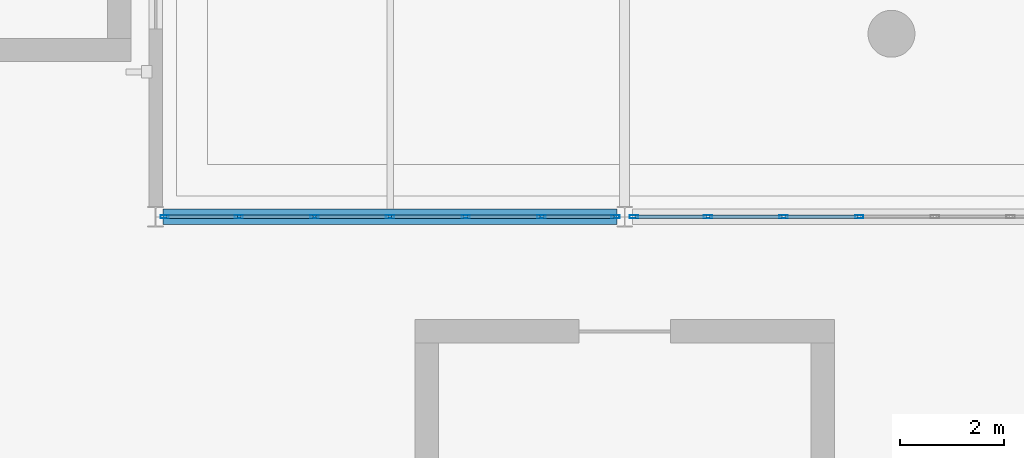
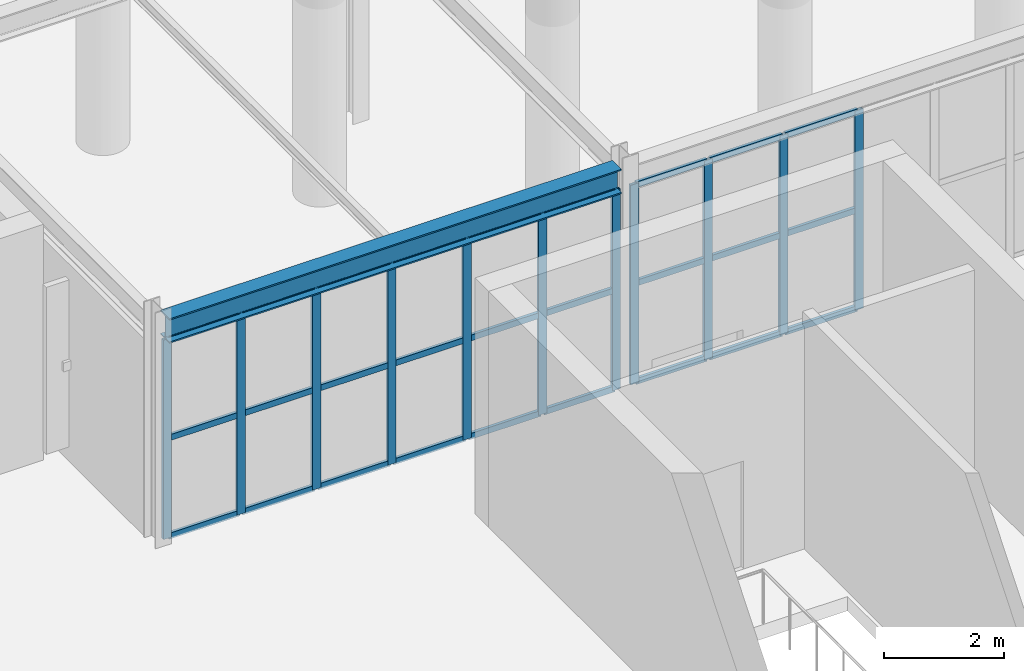
# One storey, part 2 of 29: 38 members, 1 beam, 2 elements without a shape of their own.
"""IFC4 building model written with IfcOpenShell, lengths in metres."""

from ifc_helpers import new_model, si_unit, direction, frame, origin, origin_2d, place, context, subcontext, project, spatial, hollow_rectangle, i_section, extrude, material, layer, layer_set, material_profile, profile_set, type_object, element, aggregate, save


model = new_model("IFC4")

# Units and contexts
model_context = context("Model", 3, precision=1e-05, world=origin(), true_north=direction((0.0, 1.0)))
body_context = subcontext(model_context, "Body", "Model", "MODEL_VIEW")
ifc_project = project(units=[si_unit("LENGTHUNIT", "METRE"), si_unit("AREAUNIT", "SQUARE_METRE"), si_unit("VOLUMEUNIT", "CUBIC_METRE"), si_unit("PLANEANGLEUNIT", "RADIAN"), si_unit("MASSUNIT", "GRAM", prefix="KILO")], contexts=[model_context])

# Site, building, storey
site_placement = place(None, origin())
site = spatial("IfcSite", under=ifc_project, at=site_placement, CompositionType="ELEMENT")
building_placement = place(site_placement, origin())
building = spatial("IfcBuilding", under=site, at=building_placement, Name="Dornveld Trade and Exhibition Forum", CompositionType="ELEMENT")
storey_placement = place(building_placement, frame((0.0, 0.0, 21.60009765625)))
storey = spatial("IfcBuildingStorey", under=building, at=storey_placement, Name="L04", CompositionType="ELEMENT", Elevation=21.60009765625)

# Beam
ifc_material_1 = material(Name="Steel S355J2", Category="steel")
ifc_material_profile_1 = material_profile(ifc_material_1, i_section(OverallWidth=0.300048828125, OverallDepth=0.5, WebThickness=0.014404296875, FlangeThickness=0.028076171875, FilletRadius=0.027099609375, at=origin_2d()), Name="HEB 500")
ifc_profile_set_1 = profile_set([ifc_material_profile_1], Name="Steel S355J2")
beam_type = type_object("IfcBeamType", Name="BM-GIR-HEB500", PredefinedType="USERDEFINED", material=ifc_profile_set_1)
beam_placement = place(storey_placement, frame((99.14599609375, 63.0, 4.2998046875), z_axis=(1.0, 0.0, 0.0), x_axis=(0.0, 1.0, 0.0)))
element("IfcBeam", 1, at=beam_placement, inside=storey, type_object=beam_type, Name="L04 X-girder 1674", ObjectType="GIRDER", PredefinedType="USERDEFINED", context=body_context, shape_type="SweptSolid", body=[
    extrude(i_section(OverallWidth=0.300048828125, OverallDepth=0.5, WebThickness=0.014404296875, FlangeThickness=0.028076171875, FilletRadius=0.027099609375, at=origin_2d()), origin(), (0.0, 0.0, 1.0), 8.7080078125),
])

# Curtain wall, members
ifc_material_2 = material(Name="Dark-bronze anodised aluminium and low-E glass", Category="aluminium")
ifc_layer_1 = layer(ifc_material_2, 0.18701171875)
ifc_layer_set_1 = layer_set([ifc_layer_1], Name="Dark-bronze anodised aluminium and low-E glass")
curtain_wall_type_1 = type_object("IfcCurtainWallType", Name="CW-SYS-15", PredefinedType="USERDEFINED", material=ifc_layer_set_1)
curtain_wall_1_placement = place(storey_placement, origin())
curtain_wall_1 = element("IfcCurtainWall", 2, at=curtain_wall_1_placement, inside=storey, type_object=curtain_wall_type_1, Name="L04 unitised curtain wall 123", ObjectType="UNITISED_CURTAIN_WALL", PredefinedType="USERDEFINED")
ifc_material_3 = material(Name="Dark-bronze anodised aluminium", Category="aluminium")
ifc_material_profile_2 = material_profile(ifc_material_3, hollow_rectangle(XDim=0.06005859375, YDim=0.159912109375, WallThickness=0.00390625, at=origin_2d()), Name="RHS 160x60x4")
ifc_profile_set_2 = profile_set([ifc_material_profile_2], Name="Dark-bronze anodised aluminium")
member_type_1 = type_object("IfcMemberType", Name="CW-MUL-160", PredefinedType="MULLION", material=ifc_profile_set_2)
member_1_placement = place(storey_placement, frame((99.176025390625, 63.0, -0.004150390625), z_axis=(0.0, 0.0, 1.0), x_axis=(0.0, 1.0, 0.0)))
member_1 = element("IfcMember", 3, at=member_1_placement, type_object=member_type_1, Name="CW-15 mullion 1", PredefinedType="MULLION", context=body_context, shape_type="SweptSolid", body=[
    extrude(hollow_rectangle(XDim=0.06005859375, YDim=0.159912109375, WallThickness=0.00390625, at=origin_2d()), origin(), (0.0, 0.0, 1.0), 4.06396484375),
])
member_2_placement = place(storey_placement, frame((100.597412109375, 63.0, -0.004150390625), z_axis=(0.0, 0.0, 1.0), x_axis=(0.0, 1.0, 0.0)))
member_2 = element("IfcMember", 4, at=member_2_placement, type_object=member_type_1, Name="CW-15 mullion 2", PredefinedType="MULLION", context=body_context, shape_type="SweptSolid", body=[
    extrude(hollow_rectangle(XDim=0.06005859375, YDim=0.159912109375, WallThickness=0.00390625, at=origin_2d()), origin(), (0.0, 0.0, 1.0), 4.06396484375),
])
member_3_placement = place(storey_placement, frame((102.048583984375, 63.0, -0.004150390625), z_axis=(0.0, 0.0, 1.0), x_axis=(0.0, 1.0, 0.0)))
member_3 = element("IfcMember", 5, at=member_3_placement, type_object=member_type_1, Name="CW-15 mullion 3", PredefinedType="MULLION", context=body_context, shape_type="SweptSolid", body=[
    extrude(hollow_rectangle(XDim=0.06005859375, YDim=0.159912109375, WallThickness=0.00390625, at=origin_2d()), origin(), (0.0, 0.0, 1.0), 4.06396484375),
])
member_4_placement = place(storey_placement, frame((103.5, 63.0, -0.004150390625), z_axis=(0.0, 0.0, 1.0), x_axis=(0.0, 1.0, 0.0)))
member_4 = element("IfcMember", 6, at=member_4_placement, type_object=member_type_1, Name="CW-15 mullion 4", PredefinedType="MULLION", context=body_context, shape_type="SweptSolid", body=[
    extrude(hollow_rectangle(XDim=0.06005859375, YDim=0.159912109375, WallThickness=0.00390625, at=origin_2d()), origin(), (0.0, 0.0, 1.0), 4.06396484375),
])
member_5_placement = place(storey_placement, frame((104.951416015625, 63.0, -0.004150390625), z_axis=(0.0, 0.0, 1.0), x_axis=(0.0, 1.0, 0.0)))
member_5 = element("IfcMember", 7, at=member_5_placement, type_object=member_type_1, Name="CW-15 mullion 5", PredefinedType="MULLION", context=body_context, shape_type="SweptSolid", body=[
    extrude(hollow_rectangle(XDim=0.06005859375, YDim=0.159912109375, WallThickness=0.00390625, at=origin_2d()), origin(), (0.0, 0.0, 1.0), 4.06396484375),
])
member_6_placement = place(storey_placement, frame((106.402587890625, 63.0, -0.004150390625), z_axis=(0.0, 0.0, 1.0), x_axis=(0.0, 1.0, 0.0)))
member_6 = element("IfcMember", 8, at=member_6_placement, type_object=member_type_1, Name="CW-15 mullion 6", PredefinedType="MULLION", context=body_context, shape_type="SweptSolid", body=[
    extrude(hollow_rectangle(XDim=0.06005859375, YDim=0.159912109375, WallThickness=0.00390625, at=origin_2d()), origin(), (0.0, 0.0, 1.0), 4.06396484375),
])
member_7_placement = place(storey_placement, frame((107.823974609375, 63.0, -0.004150390625), z_axis=(0.0, 0.0, 1.0), x_axis=(0.0, 1.0, 0.0)))
member_7 = element("IfcMember", 9, at=member_7_placement, type_object=member_type_1, Name="CW-15 mullion 7", PredefinedType="MULLION", context=body_context, shape_type="SweptSolid", body=[
    extrude(hollow_rectangle(XDim=0.06005859375, YDim=0.159912109375, WallThickness=0.00390625, at=origin_2d()), origin(), (0.0, 0.0, 1.0), 4.06396484375),
])

ifc_material_4 = material(Name="Dark-bronze anodised aluminium and low-E glass", Category="aluminium")
ifc_layer_2 = layer(ifc_material_4, 0.193115234375)
ifc_layer_set_2 = layer_set([ifc_layer_2], Name="Dark-bronze anodised aluminium and low-E glass")
curtain_wall_type_2 = type_object("IfcCurtainWallType", Name="CW-SYS-17", PredefinedType="USERDEFINED", material=ifc_layer_set_2)
curtain_wall_2_placement = place(storey_placement, origin())
curtain_wall_2 = element("IfcCurtainWall", 10, at=curtain_wall_2_placement, inside=storey, type_object=curtain_wall_type_2, Name="L04 unitised curtain wall 125", ObjectType="UNITISED_CURTAIN_WALL", PredefinedType="USERDEFINED")
member_8_placement = place(storey_placement, frame((108.176025390625, 63.0, -0.004150390625), z_axis=(0.0, 0.0, 1.0), x_axis=(0.0, 1.0, 0.0)))
member_8 = element("IfcMember", 11, at=member_8_placement, type_object=member_type_1, Name="CW-17 mullion 1", PredefinedType="MULLION", context=body_context, shape_type="SweptSolid", body=[
    extrude(hollow_rectangle(XDim=0.06005859375, YDim=0.159912109375, WallThickness=0.00390625, at=origin_2d()), origin(), (0.0, 0.0, 1.0), 4.06396484375),
])
member_9_placement = place(storey_placement, frame((109.597412109375, 63.0, -0.004150390625), z_axis=(0.0, 0.0, 1.0), x_axis=(0.0, 1.0, 0.0)))
member_9 = element("IfcMember", 12, at=member_9_placement, type_object=member_type_1, Name="CW-17 mullion 2", PredefinedType="MULLION", context=body_context, shape_type="SweptSolid", body=[
    extrude(hollow_rectangle(XDim=0.06005859375, YDim=0.159912109375, WallThickness=0.00390625, at=origin_2d()), origin(), (0.0, 0.0, 1.0), 4.06396484375),
])
member_10_placement = place(storey_placement, frame((111.048583984375, 63.0, -0.004150390625), z_axis=(0.0, 0.0, 1.0), x_axis=(0.0, 1.0, 0.0)))
member_10 = element("IfcMember", 13, at=member_10_placement, type_object=member_type_1, Name="CW-17 mullion 3", PredefinedType="MULLION", context=body_context, shape_type="SweptSolid", body=[
    extrude(hollow_rectangle(XDim=0.06005859375, YDim=0.159912109375, WallThickness=0.00390625, at=origin_2d()), origin(), (0.0, 0.0, 1.0), 4.06396484375),
])
member_11_placement = place(storey_placement, frame((112.5, 63.0, -0.004150390625), z_axis=(0.0, 0.0, 1.0), x_axis=(0.0, 1.0, 0.0)))
member_11 = element("IfcMember", 14, at=member_11_placement, type_object=member_type_1, Name="CW-17 mullion 4", PredefinedType="MULLION", context=body_context, shape_type="SweptSolid", body=[
    extrude(hollow_rectangle(XDim=0.06005859375, YDim=0.159912109375, WallThickness=0.00390625, at=origin_2d()), origin(), (0.0, 0.0, 1.0), 4.06396484375),
])

# Member
ifc_material_5 = material(Name="Dark-bronze anodised aluminium", Category="aluminium")
ifc_material_profile_3 = material_profile(ifc_material_5, hollow_rectangle(XDim=0.06005859375, YDim=0.1201171875, WallThickness=0.00390625, at=origin_2d()), Name="RHS 120x60x4")
ifc_profile_set_3 = profile_set([ifc_material_profile_3], Name="Dark-bronze anodised aluminium")
member_type_2 = type_object("IfcMemberType", Name="CW-TRN-120", PredefinedType="USERDEFINED", material=ifc_profile_set_3)
member_12_placement = place(storey_placement, frame((99.2060546875, 63.0, 0.02587890625), z_axis=(1.0, 0.0, 0.0), x_axis=(0.0, 1.0, 0.0)))
member_12 = element("IfcMember", 15, at=member_12_placement, type_object=member_type_2, Name="CW-15 transom 1.1", ObjectType="TRANSOM", PredefinedType="USERDEFINED", context=body_context, shape_type="SweptSolid", body=[
    extrude(hollow_rectangle(XDim=0.06005859375, YDim=0.1201171875, WallThickness=0.00390625, at=origin_2d()), origin(), (0.0, 0.0, 1.0), 1.361328125),
])

member_13_placement = place(storey_placement, frame((99.2060546875, 63.0, 2.02783203125), z_axis=(1.0, 0.0, 0.0), x_axis=(0.0, 1.0, 0.0)))
member_13 = element("IfcMember", 16, at=member_13_placement, type_object=member_type_2, Name="CW-15 transom 1.2", ObjectType="TRANSOM", PredefinedType="USERDEFINED", context=body_context, shape_type="SweptSolid", body=[
    extrude(hollow_rectangle(XDim=0.06005859375, YDim=0.1201171875, WallThickness=0.00390625, at=origin_2d()), origin(), (0.0, 0.0, 1.0), 1.361328125),
])

member_14_placement = place(storey_placement, frame((99.2060546875, 63.0, 4.02978515625), z_axis=(1.0, 0.0, 0.0), x_axis=(0.0, 1.0, 0.0)))
member_14 = element("IfcMember", 17, at=member_14_placement, type_object=member_type_2, Name="CW-15 transom 1.3", ObjectType="TRANSOM", PredefinedType="USERDEFINED", context=body_context, shape_type="SweptSolid", body=[
    extrude(hollow_rectangle(XDim=0.06005859375, YDim=0.1201171875, WallThickness=0.00390625, at=origin_2d()), origin(), (0.0, 0.0, 1.0), 1.361328125),
])

member_15_placement = place(storey_placement, frame((100.62744140625, 63.0, 0.02587890625), z_axis=(1.0, 0.0, 0.0), x_axis=(0.0, 1.0, 0.0)))
member_15 = element("IfcMember", 18, at=member_15_placement, type_object=member_type_2, Name="CW-15 transom 2.1", ObjectType="TRANSOM", PredefinedType="USERDEFINED", context=body_context, shape_type="SweptSolid", body=[
    extrude(hollow_rectangle(XDim=0.06005859375, YDim=0.1201171875, WallThickness=0.00390625, at=origin_2d()), origin(), (0.0, 0.0, 1.0), 1.39111328125),
])

member_16_placement = place(storey_placement, frame((100.62744140625, 63.0, 2.02783203125), z_axis=(1.0, 0.0, 0.0), x_axis=(0.0, 1.0, 0.0)))
member_16 = element("IfcMember", 19, at=member_16_placement, type_object=member_type_2, Name="CW-15 transom 2.2", ObjectType="TRANSOM", PredefinedType="USERDEFINED", context=body_context, shape_type="SweptSolid", body=[
    extrude(hollow_rectangle(XDim=0.06005859375, YDim=0.1201171875, WallThickness=0.00390625, at=origin_2d()), origin(), (0.0, 0.0, 1.0), 1.39111328125),
])

member_17_placement = place(storey_placement, frame((100.62744140625, 63.0, 4.02978515625), z_axis=(1.0, 0.0, 0.0), x_axis=(0.0, 1.0, 0.0)))
member_17 = element("IfcMember", 20, at=member_17_placement, type_object=member_type_2, Name="CW-15 transom 2.3", ObjectType="TRANSOM", PredefinedType="USERDEFINED", context=body_context, shape_type="SweptSolid", body=[
    extrude(hollow_rectangle(XDim=0.06005859375, YDim=0.1201171875, WallThickness=0.00390625, at=origin_2d()), origin(), (0.0, 0.0, 1.0), 1.39111328125),
])

member_18_placement = place(storey_placement, frame((102.07861328125, 63.0, 0.02587890625), z_axis=(1.0, 0.0, 0.0), x_axis=(0.0, 1.0, 0.0)))
member_18 = element("IfcMember", 21, at=member_18_placement, type_object=member_type_2, Name="CW-15 transom 3.1", ObjectType="TRANSOM", PredefinedType="USERDEFINED", context=body_context, shape_type="SweptSolid", body=[
    extrude(hollow_rectangle(XDim=0.06005859375, YDim=0.1201171875, WallThickness=0.00390625, at=origin_2d()), origin(), (0.0, 0.0, 1.0), 1.391357421875),
])

member_19_placement = place(storey_placement, frame((102.07861328125, 63.0, 2.02783203125), z_axis=(1.0, 0.0, 0.0), x_axis=(0.0, 1.0, 0.0)))
member_19 = element("IfcMember", 22, at=member_19_placement, type_object=member_type_2, Name="CW-15 transom 3.2", ObjectType="TRANSOM", PredefinedType="USERDEFINED", context=body_context, shape_type="SweptSolid", body=[
    extrude(hollow_rectangle(XDim=0.06005859375, YDim=0.1201171875, WallThickness=0.00390625, at=origin_2d()), origin(), (0.0, 0.0, 1.0), 1.391357421875),
])

member_20_placement = place(storey_placement, frame((102.07861328125, 63.0, 4.02978515625), z_axis=(1.0, 0.0, 0.0), x_axis=(0.0, 1.0, 0.0)))
member_20 = element("IfcMember", 23, at=member_20_placement, type_object=member_type_2, Name="CW-15 transom 3.3", ObjectType="TRANSOM", PredefinedType="USERDEFINED", context=body_context, shape_type="SweptSolid", body=[
    extrude(hollow_rectangle(XDim=0.06005859375, YDim=0.1201171875, WallThickness=0.00390625, at=origin_2d()), origin(), (0.0, 0.0, 1.0), 1.391357421875),
])

member_21_placement = place(storey_placement, frame((103.530029296875, 63.0, 0.02587890625), z_axis=(1.0, 0.0, 0.0), x_axis=(0.0, 1.0, 0.0)))
member_21 = element("IfcMember", 24, at=member_21_placement, type_object=member_type_2, Name="CW-15 transom 4.1", ObjectType="TRANSOM", PredefinedType="USERDEFINED", context=body_context, shape_type="SweptSolid", body=[
    extrude(hollow_rectangle(XDim=0.06005859375, YDim=0.1201171875, WallThickness=0.00390625, at=origin_2d()), origin(), (0.0, 0.0, 1.0), 1.391357421875),
])

member_22_placement = place(storey_placement, frame((103.530029296875, 63.0, 2.02783203125), z_axis=(1.0, 0.0, 0.0), x_axis=(0.0, 1.0, 0.0)))
member_22 = element("IfcMember", 25, at=member_22_placement, type_object=member_type_2, Name="CW-15 transom 4.2", ObjectType="TRANSOM", PredefinedType="USERDEFINED", context=body_context, shape_type="SweptSolid", body=[
    extrude(hollow_rectangle(XDim=0.06005859375, YDim=0.1201171875, WallThickness=0.00390625, at=origin_2d()), origin(), (0.0, 0.0, 1.0), 1.391357421875),
])

member_23_placement = place(storey_placement, frame((103.530029296875, 63.0, 4.02978515625), z_axis=(1.0, 0.0, 0.0), x_axis=(0.0, 1.0, 0.0)))
member_23 = element("IfcMember", 26, at=member_23_placement, type_object=member_type_2, Name="CW-15 transom 4.3", ObjectType="TRANSOM", PredefinedType="USERDEFINED", context=body_context, shape_type="SweptSolid", body=[
    extrude(hollow_rectangle(XDim=0.06005859375, YDim=0.1201171875, WallThickness=0.00390625, at=origin_2d()), origin(), (0.0, 0.0, 1.0), 1.391357421875),
])

member_24_placement = place(storey_placement, frame((104.9814453125, 63.0, 0.02587890625), z_axis=(1.0, 0.0, 0.0), x_axis=(0.0, 1.0, 0.0)))
member_24 = element("IfcMember", 27, at=member_24_placement, type_object=member_type_2, Name="CW-15 transom 5.1", ObjectType="TRANSOM", PredefinedType="USERDEFINED", context=body_context, shape_type="SweptSolid", body=[
    extrude(hollow_rectangle(XDim=0.06005859375, YDim=0.1201171875, WallThickness=0.00390625, at=origin_2d()), origin(), (0.0, 0.0, 1.0), 1.39111328125),
])

member_25_placement = place(storey_placement, frame((104.9814453125, 63.0, 2.02783203125), z_axis=(1.0, 0.0, 0.0), x_axis=(0.0, 1.0, 0.0)))
member_25 = element("IfcMember", 28, at=member_25_placement, type_object=member_type_2, Name="CW-15 transom 5.2", ObjectType="TRANSOM", PredefinedType="USERDEFINED", context=body_context, shape_type="SweptSolid", body=[
    extrude(hollow_rectangle(XDim=0.06005859375, YDim=0.1201171875, WallThickness=0.00390625, at=origin_2d()), origin(), (0.0, 0.0, 1.0), 1.39111328125),
])

member_26_placement = place(storey_placement, frame((104.9814453125, 63.0, 4.02978515625), z_axis=(1.0, 0.0, 0.0), x_axis=(0.0, 1.0, 0.0)))
member_26 = element("IfcMember", 29, at=member_26_placement, type_object=member_type_2, Name="CW-15 transom 5.3", ObjectType="TRANSOM", PredefinedType="USERDEFINED", context=body_context, shape_type="SweptSolid", body=[
    extrude(hollow_rectangle(XDim=0.06005859375, YDim=0.1201171875, WallThickness=0.00390625, at=origin_2d()), origin(), (0.0, 0.0, 1.0), 1.39111328125),
])

member_27_placement = place(storey_placement, frame((106.4326171875, 63.0, 0.02587890625), z_axis=(1.0, 0.0, 0.0), x_axis=(0.0, 1.0, 0.0)))
member_27 = element("IfcMember", 30, at=member_27_placement, type_object=member_type_2, Name="CW-15 transom 6.1", ObjectType="TRANSOM", PredefinedType="USERDEFINED", context=body_context, shape_type="SweptSolid", body=[
    extrude(hollow_rectangle(XDim=0.06005859375, YDim=0.1201171875, WallThickness=0.00390625, at=origin_2d()), origin(), (0.0, 0.0, 1.0), 1.361328125),
])

member_28_placement = place(storey_placement, frame((106.4326171875, 63.0, 2.02783203125), z_axis=(1.0, 0.0, 0.0), x_axis=(0.0, 1.0, 0.0)))
member_28 = element("IfcMember", 31, at=member_28_placement, type_object=member_type_2, Name="CW-15 transom 6.2", ObjectType="TRANSOM", PredefinedType="USERDEFINED", context=body_context, shape_type="SweptSolid", body=[
    extrude(hollow_rectangle(XDim=0.06005859375, YDim=0.1201171875, WallThickness=0.00390625, at=origin_2d()), origin(), (0.0, 0.0, 1.0), 1.361328125),
])

member_29_placement = place(storey_placement, frame((106.4326171875, 63.0, 4.02978515625), z_axis=(1.0, 0.0, 0.0), x_axis=(0.0, 1.0, 0.0)))
member_29 = element("IfcMember", 32, at=member_29_placement, type_object=member_type_2, Name="CW-15 transom 6.3", ObjectType="TRANSOM", PredefinedType="USERDEFINED", context=body_context, shape_type="SweptSolid", body=[
    extrude(hollow_rectangle(XDim=0.06005859375, YDim=0.1201171875, WallThickness=0.00390625, at=origin_2d()), origin(), (0.0, 0.0, 1.0), 1.361328125),
])

aggregate(curtain_wall_1, [member_1, member_2, member_3, member_4, member_5, member_6, member_7, member_12, member_13, member_14, member_15, member_16, member_17, member_18, member_19, member_20, member_21, member_22, member_23, member_24, member_25, member_26, member_27, member_28, member_29])

member_30_placement = place(storey_placement, frame((108.2060546875, 63.0, 0.02587890625), z_axis=(1.0, 0.0, 0.0), x_axis=(0.0, 1.0, 0.0)))
member_30 = element("IfcMember", 33, at=member_30_placement, type_object=member_type_2, Name="CW-17 transom 1.1", ObjectType="TRANSOM", PredefinedType="USERDEFINED", context=body_context, shape_type="SweptSolid", body=[
    extrude(hollow_rectangle(XDim=0.06005859375, YDim=0.1201171875, WallThickness=0.00390625, at=origin_2d()), origin(), (0.0, 0.0, 1.0), 1.361328125),
])

member_31_placement = place(storey_placement, frame((108.2060546875, 63.0, 2.02783203125), z_axis=(1.0, 0.0, 0.0), x_axis=(0.0, 1.0, 0.0)))
member_31 = element("IfcMember", 34, at=member_31_placement, type_object=member_type_2, Name="CW-17 transom 1.2", ObjectType="TRANSOM", PredefinedType="USERDEFINED", context=body_context, shape_type="SweptSolid", body=[
    extrude(hollow_rectangle(XDim=0.06005859375, YDim=0.1201171875, WallThickness=0.00390625, at=origin_2d()), origin(), (0.0, 0.0, 1.0), 1.361328125),
])

member_32_placement = place(storey_placement, frame((108.2060546875, 63.0, 4.02978515625), z_axis=(1.0, 0.0, 0.0), x_axis=(0.0, 1.0, 0.0)))
member_32 = element("IfcMember", 35, at=member_32_placement, type_object=member_type_2, Name="CW-17 transom 1.3", ObjectType="TRANSOM", PredefinedType="USERDEFINED", context=body_context, shape_type="SweptSolid", body=[
    extrude(hollow_rectangle(XDim=0.06005859375, YDim=0.1201171875, WallThickness=0.00390625, at=origin_2d()), origin(), (0.0, 0.0, 1.0), 1.361328125),
])

member_33_placement = place(storey_placement, frame((109.62744140625, 63.0, 0.02587890625), z_axis=(1.0, 0.0, 0.0), x_axis=(0.0, 1.0, 0.0)))
member_33 = element("IfcMember", 36, at=member_33_placement, type_object=member_type_2, Name="CW-17 transom 2.1", ObjectType="TRANSOM", PredefinedType="USERDEFINED", context=body_context, shape_type="SweptSolid", body=[
    extrude(hollow_rectangle(XDim=0.06005859375, YDim=0.1201171875, WallThickness=0.00390625, at=origin_2d()), origin(), (0.0, 0.0, 1.0), 1.39111328125),
])

member_34_placement = place(storey_placement, frame((109.62744140625, 63.0, 2.02783203125), z_axis=(1.0, 0.0, 0.0), x_axis=(0.0, 1.0, 0.0)))
member_34 = element("IfcMember", 37, at=member_34_placement, type_object=member_type_2, Name="CW-17 transom 2.2", ObjectType="TRANSOM", PredefinedType="USERDEFINED", context=body_context, shape_type="SweptSolid", body=[
    extrude(hollow_rectangle(XDim=0.06005859375, YDim=0.1201171875, WallThickness=0.00390625, at=origin_2d()), origin(), (0.0, 0.0, 1.0), 1.39111328125),
])

member_35_placement = place(storey_placement, frame((109.62744140625, 63.0, 4.02978515625), z_axis=(1.0, 0.0, 0.0), x_axis=(0.0, 1.0, 0.0)))
member_35 = element("IfcMember", 38, at=member_35_placement, type_object=member_type_2, Name="CW-17 transom 2.3", ObjectType="TRANSOM", PredefinedType="USERDEFINED", context=body_context, shape_type="SweptSolid", body=[
    extrude(hollow_rectangle(XDim=0.06005859375, YDim=0.1201171875, WallThickness=0.00390625, at=origin_2d()), origin(), (0.0, 0.0, 1.0), 1.39111328125),
])

member_36_placement = place(storey_placement, frame((111.07861328125, 63.0, 0.02587890625), z_axis=(1.0, 0.0, 0.0), x_axis=(0.0, 1.0, 0.0)))
member_36 = element("IfcMember", 39, at=member_36_placement, type_object=member_type_2, Name="CW-17 transom 3.1", ObjectType="TRANSOM", PredefinedType="USERDEFINED", context=body_context, shape_type="SweptSolid", body=[
    extrude(hollow_rectangle(XDim=0.06005859375, YDim=0.1201171875, WallThickness=0.00390625, at=origin_2d()), origin(), (0.0, 0.0, 1.0), 1.391357421875),
])

member_37_placement = place(storey_placement, frame((111.07861328125, 63.0, 2.02783203125), z_axis=(1.0, 0.0, 0.0), x_axis=(0.0, 1.0, 0.0)))
member_37 = element("IfcMember", 40, at=member_37_placement, type_object=member_type_2, Name="CW-17 transom 3.2", ObjectType="TRANSOM", PredefinedType="USERDEFINED", context=body_context, shape_type="SweptSolid", body=[
    extrude(hollow_rectangle(XDim=0.06005859375, YDim=0.1201171875, WallThickness=0.00390625, at=origin_2d()), origin(), (0.0, 0.0, 1.0), 1.391357421875),
])

member_38_placement = place(storey_placement, frame((111.07861328125, 63.0, 4.02978515625), z_axis=(1.0, 0.0, 0.0), x_axis=(0.0, 1.0, 0.0)))
member_38 = element("IfcMember", 41, at=member_38_placement, type_object=member_type_2, Name="CW-17 transom 3.3", ObjectType="TRANSOM", PredefinedType="USERDEFINED", context=body_context, shape_type="SweptSolid", body=[
    extrude(hollow_rectangle(XDim=0.06005859375, YDim=0.1201171875, WallThickness=0.00390625, at=origin_2d()), origin(), (0.0, 0.0, 1.0), 1.391357421875),
])

aggregate(curtain_wall_2, [member_8, member_9, member_10, member_11, member_30, member_31, member_32, member_33, member_34, member_35, member_36, member_37, member_38])

save(model, "model.ifc")
